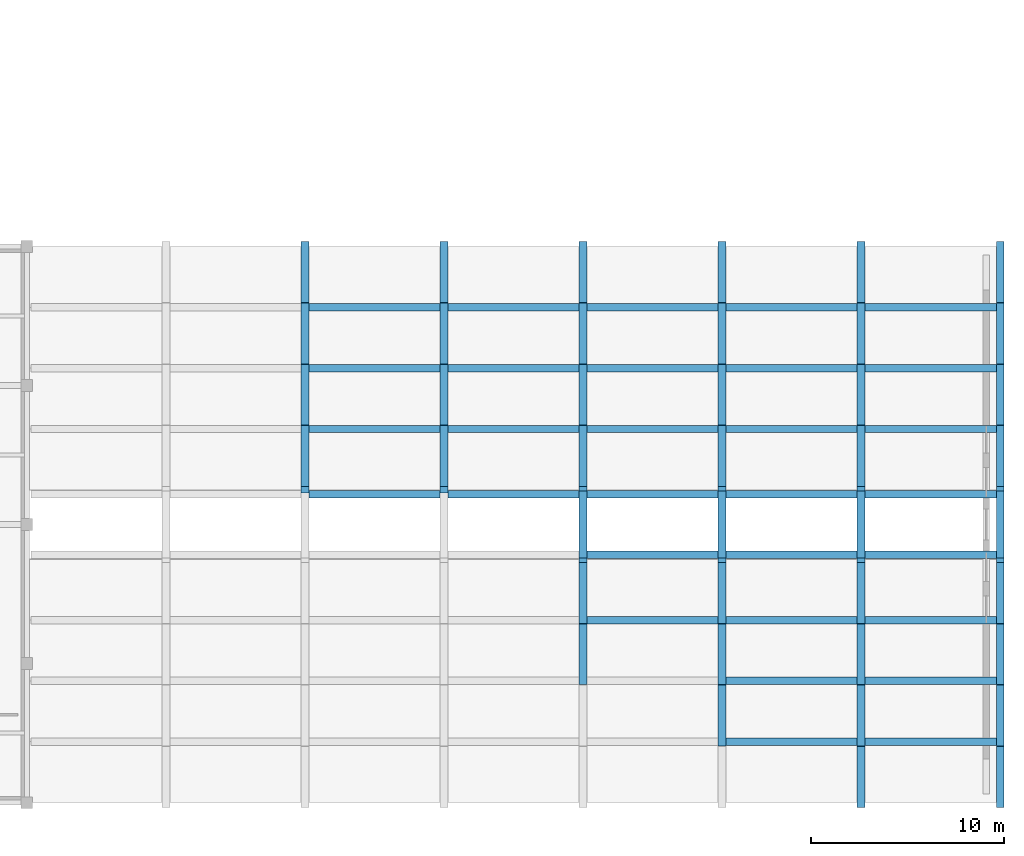
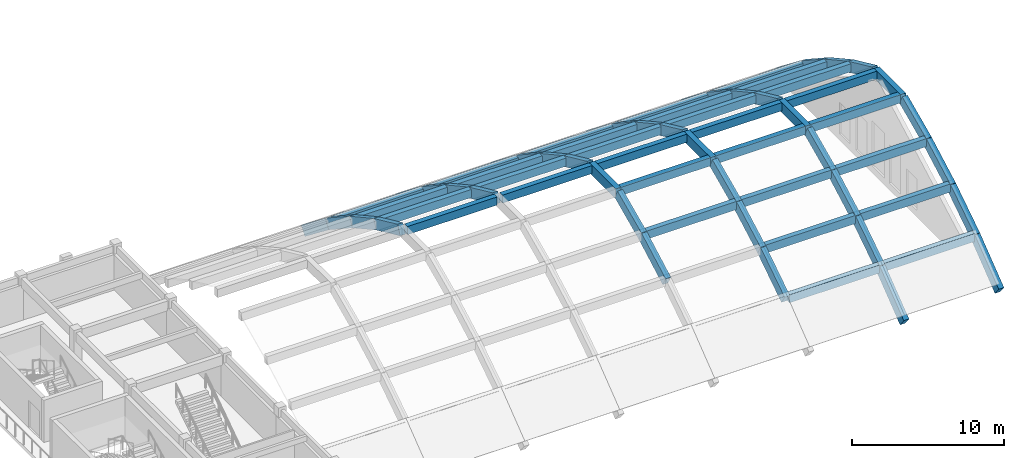
# One storey, part 18 of 85: 71 beams.
"""IFC4 building model written with IfcOpenShell, lengths in metres."""

import ifcopenshell
import ifcopenshell.guid

model = None  # the IFC model being written
_history = None  # IfcOwnerHistory: only IFC2X3 demands one
_inside = {}  # id of a spatial element -> (the spatial element, [elements in it])
_under = {}  # id of a project, library or spatial element -> (it, [spatial elements below it])
_declared = {}  # id of a project -> (the project, [libraries it declares])
_typed = {}  # id of a type object -> (the type object, [elements of that type])
_made_of = {}  # id of a material, layer set ... -> (it, [elements and type objects made of it])


def new_model(schema):
    """Start an empty IFC model of exactly this schema.

    Asked for "IFC4X3", IfcOpenShell would pick the latest addendum, in which some entities
    have other attributes; the version numbers below select the first issue.
    IFC2X3 requires an IfcOwnerHistory on every rooted entity: one is made here for all.
    """
    global model, _history
    if schema == "IFC4X3":
        model = ifcopenshell.file(schema_version=(4, 3, 0, 0))
    else:
        model = ifcopenshell.file(schema=schema)
    _inside.clear()
    _under.clear()
    _declared.clear()
    _typed.clear()
    _made_of.clear()
    _history = None
    if model.schema == "IFC2X3":
        org = make("IfcOrganization", Name="unknown")
        user = make(
            "IfcPersonAndOrganization",
            ThePerson=make("IfcPerson", FamilyName="unknown"),
            TheOrganization=org,
        )
        app = make(
            "IfcApplication",
            ApplicationDeveloper=org,
            Version="unknown",
            ApplicationFullName="unknown",
            ApplicationIdentifier="unknown",
        )
        _history = make(
            "IfcOwnerHistory",
            OwningUser=user,
            OwningApplication=app,
            ChangeAction="ADDED",
            CreationDate=0,
        )
    return model


def make(cls, **values):
    """One entity of the class cls with the attributes given. An attribute that is None is left unset."""
    return model.create_entity(
        cls, **{name: value for name, value in values.items() if value is not None}
    )


def rooted(cls, **values):
    """An entity with a GlobalId (a new one), such as an element, a storey or a relation."""
    return make(cls, GlobalId=ifcopenshell.guid.new(), OwnerHistory=_history, **values)


def si_unit(unit_type, name, prefix=None):
    """IfcSIUnit, for example si_unit("LENGTHUNIT", "METRE", prefix="MILLI")."""
    return make("IfcSIUnit", UnitType=unit_type, Prefix=prefix, Name=name)


def assignment(units):
    """IfcUnitAssignment: the units of a project."""
    return None if units is None else make("IfcUnitAssignment", Units=units)


def point(xyz):
    """IfcCartesianPoint."""
    return None if xyz is None else make("IfcCartesianPoint", Coordinates=xyz)


def direction(xyz):
    """IfcDirection."""
    return None if xyz is None else make("IfcDirection", DirectionRatios=xyz)


def frame(location, z_axis=None, x_axis=None):
    """IfcAxis2Placement3D, a coordinate frame: its origin and axes. An axis left out is left unset."""
    return make(
        "IfcAxis2Placement3D",
        Location=point(location),
        Axis=direction(z_axis),
        RefDirection=direction(x_axis),
    )


def frame_2d(location, x_axis=None):
    """IfcAxis2Placement2D, a coordinate frame in the plane: its origin and x axis."""
    return make(
        "IfcAxis2Placement2D", Location=point(location), RefDirection=direction(x_axis)
    )


def origin():
    """The frame at (0, 0, 0) with its axes left unset."""
    return frame((0.0, 0.0, 0.0))


def origin_2d():
    """The frame at (0, 0) in the plane with its x axis left unset."""
    return frame_2d((0.0, 0.0))


def place(relative_to, where):
    """IfcLocalPlacement: puts the frame where relative to a parent placement (None: the world)."""
    return make(
        "IfcLocalPlacement", PlacementRelTo=relative_to, RelativePlacement=where
    )


def context(
    kind, dimensions, precision=None, world=None, true_north=None, identifier=None
):
    """IfcGeometricRepresentationContext, for example the 3D "Model" context."""
    return make(
        "IfcGeometricRepresentationContext",
        ContextIdentifier=identifier,
        ContextType=kind,
        CoordinateSpaceDimension=dimensions,
        Precision=precision,
        WorldCoordinateSystem=world,
        TrueNorth=true_north,
    )


def subcontext(parent, identifier, kind, view, scale=None):
    """IfcGeometricRepresentationSubContext, for example "Body" below "Model"."""
    return make(
        "IfcGeometricRepresentationSubContext",
        ContextIdentifier=identifier,
        ContextType=kind,
        ParentContext=parent,
        TargetScale=scale,
        TargetView=view,
    )


def project(units=None, contexts=None):
    """IfcProject with its units and contexts."""
    return rooted(
        "IfcProject",
        Name="project",
        RepresentationContexts=contexts,
        UnitsInContext=assignment(units),
    )


def spatial(cls, under=None, at=None, **own):
    """A site, building, storey or space (cls), placed at a placement, below another one or the project."""
    s = rooted(cls, ObjectPlacement=at, **own)
    if under is not None:
        _under.setdefault(under.id(), (under, []))[1].append(s)
    return s


def profile(cls, at=None, kind="AREA", **sizes):
    """A parametric profile (cls). Its sizes go by their IFC names, for example OverallWidth=200.0."""
    return make(cls, ProfileType=kind, Position=at, **sizes)


def rectangle(**sizes):
    """IfcRectangleProfileDef."""
    return profile("IfcRectangleProfileDef", **sizes)


def extrude(swept, where, along, depth):
    """IfcExtrudedAreaSolid: the profile swept, set in the frame where, extruded along a direction by depth."""
    return make(
        "IfcExtrudedAreaSolid",
        SweptArea=swept,
        Position=where,
        ExtrudedDirection=direction(along),
        Depth=depth,
    )


def shape(context_of_items, identifier, shape_type, items):
    """IfcShapeRepresentation: the items that make up one representation, for example the "Body"."""
    return make(
        "IfcShapeRepresentation",
        ContextOfItems=context_of_items,
        RepresentationIdentifier=identifier,
        RepresentationType=shape_type,
        Items=items,
    )


def material(Name=None, Category=None):
    """IfcMaterial."""
    return make("IfcMaterial", Name=Name, Category=Category)


def material_profile(
    of_material, cross_section, Name=None, Category=None, Priority=None
):
    """IfcMaterialProfile: a cross section and its material."""
    return make(
        "IfcMaterialProfile",
        Name=Name,
        Material=of_material,
        Profile=cross_section,
        Priority=Priority,
        Category=Category,
    )


def profile_set(profiles, Name=None, composite=None):
    """IfcMaterialProfileSet."""
    return make(
        "IfcMaterialProfileSet",
        Name=Name,
        MaterialProfiles=profiles,
        CompositeProfile=composite,
    )


def made_of(thing, what):
    """Note that an element or type object is made of a material, layer set ...; save() writes the relation."""
    if what is not None:
        _made_of.setdefault(what.id(), (what, []))[1].append(thing)
    return thing


def type_object(cls, material=None, **own):
    """A type object (cls), such as IfcWallType, which elements share."""
    return made_of(rooted(cls, **own), material)


def element(
    cls,
    number,
    at=None,
    inside=None,
    cuts=None,
    type_object=None,
    material=None,
    context=None,
    identifier="Body",
    shape_type=None,
    held_by="IfcProductDefinitionShape",
    body=None,
    shapes=None,
    **own,
):
    """One element of the class cls, such as IfcWall. Its Tag is "e" and its number.

    at: its placement. inside: the storey or other place that contains it. cuts: it is an
    opening in that element (IfcRelVoidsElement). A single representation is given by context,
    identifier, shape_type and body (its items); several are given by shapes. held_by: the class
    of the entity that holds the representations. save() writes the other relations.
    """
    e = rooted(cls, Tag="e%d" % number, ObjectPlacement=at, **own)
    if body is not None:
        shapes = [shape(context, identifier, shape_type, body)]
    if shapes is not None:
        e.Representation = make(held_by, Representations=shapes)
    if inside is not None:
        _inside.setdefault(inside.id(), (inside, []))[1].append(e)
    if cuts is not None:
        rooted(
            "IfcRelVoidsElement", RelatingBuildingElement=cuts, RelatedOpeningElement=e
        )
    if type_object is not None:
        _typed.setdefault(type_object.id(), (type_object, []))[1].append(e)
    return made_of(e, material)


def aggregate(whole, parts):
    """IfcRelAggregates: a whole, such as a stair, and the parts it consists of."""
    return rooted("IfcRelAggregates", RelatingObject=whole, RelatedObjects=parts)


def save(model, path):
    """Write the relations noted so far, then the file.

    IfcRelAggregates (storeys below a building ...), IfcRelContainedInSpatialStructure (elements
    in a storey), IfcRelDefinesByType, IfcRelAssociatesMaterial and IfcRelDeclares: one each for
    every whole, place, type object, material and project.
    """
    for whole, parts in _under.values():
        aggregate(whole, parts)
    for where, things in _inside.values():
        rooted(
            "IfcRelContainedInSpatialStructure",
            RelatedElements=things,
            RelatingStructure=where,
        )
    for kind, things in _typed.values():
        rooted("IfcRelDefinesByType", RelatedObjects=things, RelatingType=kind)
    for what, things in _made_of.values():
        rooted("IfcRelAssociatesMaterial", RelatedObjects=things, RelatingMaterial=what)
    for by, libraries in _declared.values():
        rooted("IfcRelDeclares", RelatingContext=by, RelatedDefinitions=libraries)
    model.write(path)


model = new_model("IFC4")

# Units and contexts
model_context = context("Model", 3, precision=1e-05, world=origin(), true_north=direction((0.0, 1.0)))
body_context = subcontext(model_context, "Body", "Model", "MODEL_VIEW")
ifc_project = project(units=[si_unit("LENGTHUNIT", "METRE"), si_unit("AREAUNIT", "SQUARE_METRE"), si_unit("VOLUMEUNIT", "CUBIC_METRE"), si_unit("PLANEANGLEUNIT", "RADIAN"), si_unit("MASSUNIT", "GRAM", prefix="KILO")], contexts=[model_context])

# Site, building, storey
site_placement = place(None, origin())
site = spatial("IfcSite", under=ifc_project, at=site_placement, CompositionType="ELEMENT")
building_placement = place(site_placement, origin())
building = spatial("IfcBuilding", under=site, at=building_placement, Name="Alvorim Cloister Faculty of Sciences", CompositionType="ELEMENT")
storey_placement = place(building_placement, frame((0.0, 0.0, 8.550048828125)))
storey = spatial("IfcBuildingStorey", under=building, at=storey_placement, Name="L02", CompositionType="ELEMENT", Elevation=8.550048828125)

# Beams
ifc_material = material(Name="Concrete C40", Category="concrete")
ifc_material_profile_1 = material_profile(ifc_material, rectangle(XDim=0.39990234375, YDim=0.800048828125, at=origin_2d()), Name="RC40-ARCH-400x800")
ifc_profile_set_1 = profile_set([ifc_material_profile_1], Name="Concrete C40")
beam_type_1 = type_object("IfcBeamType", Name="BM-ARCH-400x800", PredefinedType="BEAM", material=ifc_profile_set_1)
beam_1_placement = place(storey_placement, frame((129.60009765625, 16.199951171875, 7.168212890625), z_axis=(0.0, 0.909008111331, -0.416778422587), x_axis=(-1.0, 0.0, 0.0)))
element("IfcBeam", 1, at=beam_1_placement, inside=storey, type_object=beam_type_1, Name="SH-V1 Pointed Arch Rib Chord BM-2278", PredefinedType="BEAM", context=body_context, shape_type="SweptSolid", body=[
    extrude(rectangle(XDim=0.39990234375, YDim=0.800048828125, at=origin_2d()), origin(), (0.0, 0.0, 1.0), 3.465576171875),
])
beam_2_placement = place(storey_placement, frame((129.60009765625, 19.35009765625, 5.723876953125), z_axis=(0.0, 0.875903252887, -0.48248677866), x_axis=(-1.0, 0.0, 0.0)))
element("IfcBeam", 2, at=beam_2_placement, inside=storey, type_object=beam_type_1, Name="SH-V1 Pointed Arch Rib Chord BM-2279", PredefinedType="BEAM", context=body_context, shape_type="SweptSolid", body=[
    extrude(rectangle(XDim=0.39990234375, YDim=0.800048828125, at=origin_2d()), origin(), (0.0, 0.0, 1.0), 3.59619140625),
])
beam_3_placement = place(storey_placement, frame((129.60009765625, 22.5, 3.98876953125), z_axis=(0.0, 0.83634327519, -0.548206098146), x_axis=(-1.0, 0.0, 0.0)))
element("IfcBeam", 3, at=beam_3_placement, inside=storey, type_object=beam_type_1, Name="SH-V1 Pointed Arch Rib Chord BM-2280", PredefinedType="BEAM", context=body_context, shape_type="SweptSolid", body=[
    extrude(rectangle(XDim=0.39990234375, YDim=0.800048828125, at=origin_2d()), origin(), (0.0, 0.0, 1.0), 3.766357421875),
])
beam_4_placement = place(storey_placement, frame((129.60009765625, 25.64990234375, 1.924072265625), z_axis=(0.0, 0.789342335142, -0.613953319033), x_axis=(-1.0, 0.0, 0.0)))
element("IfcBeam", 4, at=beam_4_placement, inside=storey, type_object=beam_type_1, Name="SH-V1 Pointed Arch Rib Chord BM-2281", PredefinedType="BEAM", context=body_context, shape_type="SweptSolid", body=[
    extrude(rectangle(XDim=0.39990234375, YDim=0.800048828125, at=origin_2d()), origin(), (0.0, 0.0, 1.0), 3.990966796875),
])
beam_5_placement = place(storey_placement, frame((136.800048828125, 16.199951171875, 7.168212890625), z_axis=(0.0, 0.909008111331, -0.416778422587), x_axis=(-1.0, 0.0, 0.0)))
element("IfcBeam", 5, at=beam_5_placement, inside=storey, type_object=beam_type_1, Name="SH-V1 Pointed Arch Rib Chord BM-2287", PredefinedType="BEAM", context=body_context, shape_type="SweptSolid", body=[
    extrude(rectangle(XDim=0.39990234375, YDim=0.800048828125, at=origin_2d()), origin(), (0.0, 0.0, 1.0), 3.465576171875),
])
beam_6_placement = place(storey_placement, frame((136.800048828125, 19.35009765625, 5.723876953125), z_axis=(0.0, 0.875903252887, -0.48248677866), x_axis=(-1.0, 0.0, 0.0)))
element("IfcBeam", 6, at=beam_6_placement, inside=storey, type_object=beam_type_1, Name="SH-V1 Pointed Arch Rib Chord BM-2288", PredefinedType="BEAM", context=body_context, shape_type="SweptSolid", body=[
    extrude(rectangle(XDim=0.39990234375, YDim=0.800048828125, at=origin_2d()), origin(), (0.0, 0.0, 1.0), 3.59619140625),
])
beam_7_placement = place(storey_placement, frame((136.800048828125, 22.5, 3.98876953125), z_axis=(0.0, 0.83634327519, -0.548206098146), x_axis=(-1.0, 0.0, 0.0)))
element("IfcBeam", 7, at=beam_7_placement, inside=storey, type_object=beam_type_1, Name="SH-V1 Pointed Arch Rib Chord BM-2289", PredefinedType="BEAM", context=body_context, shape_type="SweptSolid", body=[
    extrude(rectangle(XDim=0.39990234375, YDim=0.800048828125, at=origin_2d()), origin(), (0.0, 0.0, 1.0), 3.766357421875),
])
beam_8_placement = place(storey_placement, frame((136.800048828125, 25.64990234375, 1.924072265625), z_axis=(0.0, 0.789342335142, -0.613953319033), x_axis=(-1.0, 0.0, 0.0)))
element("IfcBeam", 8, at=beam_8_placement, inside=storey, type_object=beam_type_1, Name="SH-V1 Pointed Arch Rib Chord BM-2290", PredefinedType="BEAM", context=body_context, shape_type="SweptSolid", body=[
    extrude(rectangle(XDim=0.39990234375, YDim=0.800048828125, at=origin_2d()), origin(), (0.0, 0.0, 1.0), 3.990966796875),
])
beam_9_placement = place(storey_placement, frame((144.0, 6.300048828125, 3.98876953125), z_axis=(0.0, 0.875903252887, 0.48248677866), x_axis=(-1.0, 0.0, 0.0)))
element("IfcBeam", 9, at=beam_9_placement, inside=storey, type_object=beam_type_1, Name="SH-V1 Pointed Arch Rib Chord BM-2294", PredefinedType="BEAM", context=body_context, shape_type="SweptSolid", body=[
    extrude(rectangle(XDim=0.39990234375, YDim=0.800048828125, at=origin_2d()), origin(), (0.0, 0.0, 1.0), 3.59619140625),
])
for number, where, z_axis, x_axis, name in (
    (10, (144.0, 9.449951171875, 5.723876953125), (0.0, 0.909008111331, 0.416778422587), (-1.0, 0.0, 0.0), "SH-V1 Pointed Arch Rib Chord BM-2295"),
    (11, (144.0, 16.199951171875, 7.168212890625), (0.0, 0.909008111331, -0.416778422587), (-1.0, 0.0, 0.0), "SH-V1 Pointed Arch Rib Chord BM-2296"),
):
    element("IfcBeam", number, at=place(storey_placement, frame(where, z_axis=z_axis, x_axis=x_axis)), inside=storey, type_object=beam_type_1, Name=name, PredefinedType="BEAM", context=body_context, shape_type="SweptSolid", body=[
        extrude(rectangle(XDim=0.39990234375, YDim=0.800048828125, at=origin_2d()), origin(), (0.0, 0.0, 1.0), 3.465576171875),
    ])
beam_10_placement = place(storey_placement, frame((144.0, 19.35009765625, 5.723876953125), z_axis=(0.0, 0.875903252887, -0.48248677866), x_axis=(-1.0, 0.0, 0.0)))
element("IfcBeam", 12, at=beam_10_placement, inside=storey, type_object=beam_type_1, Name="SH-V1 Pointed Arch Rib Chord BM-2297", PredefinedType="BEAM", context=body_context, shape_type="SweptSolid", body=[
    extrude(rectangle(XDim=0.39990234375, YDim=0.800048828125, at=origin_2d()), origin(), (0.0, 0.0, 1.0), 3.59619140625),
])
beam_11_placement = place(storey_placement, frame((144.0, 22.5, 3.98876953125), z_axis=(0.0, 0.83634327519, -0.548206098146), x_axis=(-1.0, 0.0, 0.0)))
element("IfcBeam", 13, at=beam_11_placement, inside=storey, type_object=beam_type_1, Name="SH-V1 Pointed Arch Rib Chord BM-2298", PredefinedType="BEAM", context=body_context, shape_type="SweptSolid", body=[
    extrude(rectangle(XDim=0.39990234375, YDim=0.800048828125, at=origin_2d()), origin(), (0.0, 0.0, 1.0), 3.766357421875),
])
beam_12_placement = place(storey_placement, frame((144.0, 25.64990234375, 1.924072265625), z_axis=(0.0, 0.789342335142, -0.613953319033), x_axis=(-1.0, 0.0, 0.0)))
element("IfcBeam", 14, at=beam_12_placement, inside=storey, type_object=beam_type_1, Name="SH-V1 Pointed Arch Rib Chord BM-2299", PredefinedType="BEAM", context=body_context, shape_type="SweptSolid", body=[
    extrude(rectangle(XDim=0.39990234375, YDim=0.800048828125, at=origin_2d()), origin(), (0.0, 0.0, 1.0), 3.990966796875),
])
beam_13_placement = place(storey_placement, frame((144.0, 12.659912109375, 7.1640625), z_axis=(0.0, 1.0, 0.0), x_axis=(-1.0, 0.0, 0.0)))
element("IfcBeam", 15, at=beam_13_placement, inside=storey, type_object=beam_type_1, Name="L02 SH-V1 Arch Crown Tie BM-2300", PredefinedType="BEAM", context=body_context, shape_type="SweptSolid", body=[
    extrude(rectangle(XDim=0.39990234375, YDim=0.800048828125, at=origin_2d()), origin(), (0.0, 0.0, 1.0), 3.47998046875),
])
beam_14_placement = place(storey_placement, frame((151.199951171875, 3.14990234375, 1.924072265625), z_axis=(0.0, 0.836362754786, 0.548176378921), x_axis=(-1.0, 0.0, 0.0)))
element("IfcBeam", 16, at=beam_14_placement, inside=storey, type_object=beam_type_1, Name="SH-V1 Pointed Arch Rib Chord BM-2302", PredefinedType="BEAM", context=body_context, shape_type="SweptSolid", body=[
    extrude(rectangle(XDim=0.39990234375, YDim=0.800048828125, at=origin_2d()), origin(), (0.0, 0.0, 1.0), 3.7666015625),
])
beam_15_placement = place(storey_placement, frame((151.199951171875, 6.300048828125, 3.98876953125), z_axis=(0.0, 0.875903252887, 0.48248677866), x_axis=(-1.0, 0.0, 0.0)))
element("IfcBeam", 17, at=beam_15_placement, inside=storey, type_object=beam_type_1, Name="SH-V1 Pointed Arch Rib Chord BM-2303", PredefinedType="BEAM", context=body_context, shape_type="SweptSolid", body=[
    extrude(rectangle(XDim=0.39990234375, YDim=0.800048828125, at=origin_2d()), origin(), (0.0, 0.0, 1.0), 3.59619140625),
])
for number, where, z_axis, x_axis, name in (
    (18, (151.199951171875, 9.449951171875, 5.723876953125), (0.0, 0.909008111331, 0.416778422587), (-1.0, 0.0, 0.0), "SH-V1 Pointed Arch Rib Chord BM-2304"),
    (19, (151.199951171875, 16.199951171875, 7.168212890625), (0.0, 0.909008111331, -0.416778422587), (-1.0, 0.0, 0.0), "SH-V1 Pointed Arch Rib Chord BM-2305"),
):
    element("IfcBeam", number, at=place(storey_placement, frame(where, z_axis=z_axis, x_axis=x_axis)), inside=storey, type_object=beam_type_1, Name=name, PredefinedType="BEAM", context=body_context, shape_type="SweptSolid", body=[
        extrude(rectangle(XDim=0.39990234375, YDim=0.800048828125, at=origin_2d()), origin(), (0.0, 0.0, 1.0), 3.465576171875),
    ])
beam_16_placement = place(storey_placement, frame((151.199951171875, 19.35009765625, 5.723876953125), z_axis=(0.0, 0.875903252887, -0.48248677866), x_axis=(-1.0, 0.0, 0.0)))
element("IfcBeam", 20, at=beam_16_placement, inside=storey, type_object=beam_type_1, Name="SH-V1 Pointed Arch Rib Chord BM-2306", PredefinedType="BEAM", context=body_context, shape_type="SweptSolid", body=[
    extrude(rectangle(XDim=0.39990234375, YDim=0.800048828125, at=origin_2d()), origin(), (0.0, 0.0, 1.0), 3.59619140625),
])
beam_17_placement = place(storey_placement, frame((151.199951171875, 22.5, 3.98876953125), z_axis=(0.0, 0.83634327519, -0.548206098146), x_axis=(-1.0, 0.0, 0.0)))
element("IfcBeam", 21, at=beam_17_placement, inside=storey, type_object=beam_type_1, Name="SH-V1 Pointed Arch Rib Chord BM-2307", PredefinedType="BEAM", context=body_context, shape_type="SweptSolid", body=[
    extrude(rectangle(XDim=0.39990234375, YDim=0.800048828125, at=origin_2d()), origin(), (0.0, 0.0, 1.0), 3.766357421875),
])
beam_18_placement = place(storey_placement, frame((151.199951171875, 25.64990234375, 1.924072265625), z_axis=(0.0, 0.789342335142, -0.613953319033), x_axis=(-1.0, 0.0, 0.0)))
element("IfcBeam", 22, at=beam_18_placement, inside=storey, type_object=beam_type_1, Name="SH-V1 Pointed Arch Rib Chord BM-2308", PredefinedType="BEAM", context=body_context, shape_type="SweptSolid", body=[
    extrude(rectangle(XDim=0.39990234375, YDim=0.800048828125, at=origin_2d()), origin(), (0.0, 0.0, 1.0), 3.990966796875),
])
beam_19_placement = place(storey_placement, frame((151.199951171875, 12.659912109375, 7.1640625), z_axis=(0.0, 1.0, 0.0), x_axis=(-1.0, 0.0, 0.0)))
element("IfcBeam", 23, at=beam_19_placement, inside=storey, type_object=beam_type_1, Name="L02 SH-V1 Arch Crown Tie BM-2309", PredefinedType="BEAM", context=body_context, shape_type="SweptSolid", body=[
    extrude(rectangle(XDim=0.39990234375, YDim=0.800048828125, at=origin_2d()), origin(), (0.0, 0.0, 1.0), 3.47998046875),
])
beam_20_placement = place(storey_placement, frame((158.39990234375, 0.0, -0.526123046875), z_axis=(0.0, 0.78931927421, 0.61398296667), x_axis=(-1.0, 0.0, 0.0)))
element("IfcBeam", 24, at=beam_20_placement, inside=storey, type_object=beam_type_1, Name="SH-V1 Pointed Arch Rib Chord BM-2310", PredefinedType="BEAM", context=body_context, shape_type="SweptSolid", body=[
    extrude(rectangle(XDim=0.39990234375, YDim=0.800048828125, at=origin_2d()), origin(), (0.0, 0.0, 1.0), 3.99072265625),
])
beam_21_placement = place(storey_placement, frame((158.39990234375, 3.14990234375, 1.924072265625), z_axis=(0.0, 0.836362754786, 0.548176378921), x_axis=(-1.0, 0.0, 0.0)))
element("IfcBeam", 25, at=beam_21_placement, inside=storey, type_object=beam_type_1, Name="SH-V1 Pointed Arch Rib Chord BM-2311", PredefinedType="BEAM", context=body_context, shape_type="SweptSolid", body=[
    extrude(rectangle(XDim=0.39990234375, YDim=0.800048828125, at=origin_2d()), origin(), (0.0, 0.0, 1.0), 3.7666015625),
])
beam_22_placement = place(storey_placement, frame((158.39990234375, 6.300048828125, 3.98876953125), z_axis=(0.0, 0.875903252887, 0.48248677866), x_axis=(-1.0, 0.0, 0.0)))
element("IfcBeam", 26, at=beam_22_placement, inside=storey, type_object=beam_type_1, Name="SH-V1 Pointed Arch Rib Chord BM-2312", PredefinedType="BEAM", context=body_context, shape_type="SweptSolid", body=[
    extrude(rectangle(XDim=0.39990234375, YDim=0.800048828125, at=origin_2d()), origin(), (0.0, 0.0, 1.0), 3.59619140625),
])
for number, where, z_axis, x_axis, name in (
    (27, (158.39990234375, 9.449951171875, 5.723876953125), (0.0, 0.909008111331, 0.416778422587), (-1.0, 0.0, 0.0), "SH-V1 Pointed Arch Rib Chord BM-2313"),
    (28, (158.39990234375, 16.199951171875, 7.168212890625), (0.0, 0.909008111331, -0.416778422587), (-1.0, 0.0, 0.0), "SH-V1 Pointed Arch Rib Chord BM-2314"),
):
    element("IfcBeam", number, at=place(storey_placement, frame(where, z_axis=z_axis, x_axis=x_axis)), inside=storey, type_object=beam_type_1, Name=name, PredefinedType="BEAM", context=body_context, shape_type="SweptSolid", body=[
        extrude(rectangle(XDim=0.39990234375, YDim=0.800048828125, at=origin_2d()), origin(), (0.0, 0.0, 1.0), 3.465576171875),
    ])
beam_23_placement = place(storey_placement, frame((158.39990234375, 19.35009765625, 5.723876953125), z_axis=(0.0, 0.875903252887, -0.48248677866), x_axis=(-1.0, 0.0, 0.0)))
element("IfcBeam", 29, at=beam_23_placement, inside=storey, type_object=beam_type_1, Name="SH-V1 Pointed Arch Rib Chord BM-2315", PredefinedType="BEAM", context=body_context, shape_type="SweptSolid", body=[
    extrude(rectangle(XDim=0.39990234375, YDim=0.800048828125, at=origin_2d()), origin(), (0.0, 0.0, 1.0), 3.59619140625),
])
beam_24_placement = place(storey_placement, frame((158.39990234375, 22.5, 3.98876953125), z_axis=(0.0, 0.83634327519, -0.548206098146), x_axis=(-1.0, 0.0, 0.0)))
element("IfcBeam", 30, at=beam_24_placement, inside=storey, type_object=beam_type_1, Name="SH-V1 Pointed Arch Rib Chord BM-2316", PredefinedType="BEAM", context=body_context, shape_type="SweptSolid", body=[
    extrude(rectangle(XDim=0.39990234375, YDim=0.800048828125, at=origin_2d()), origin(), (0.0, 0.0, 1.0), 3.766357421875),
])
beam_25_placement = place(storey_placement, frame((158.39990234375, 25.64990234375, 1.924072265625), z_axis=(0.0, 0.789342335142, -0.613953319033), x_axis=(-1.0, 0.0, 0.0)))
element("IfcBeam", 31, at=beam_25_placement, inside=storey, type_object=beam_type_1, Name="SH-V1 Pointed Arch Rib Chord BM-2317", PredefinedType="BEAM", context=body_context, shape_type="SweptSolid", body=[
    extrude(rectangle(XDim=0.39990234375, YDim=0.800048828125, at=origin_2d()), origin(), (0.0, 0.0, 1.0), 3.990966796875),
])
beam_26_placement = place(storey_placement, frame((158.39990234375, 12.659912109375, 7.1640625), z_axis=(0.0, 1.0, 0.0), x_axis=(-1.0, 0.0, 0.0)))
element("IfcBeam", 32, at=beam_26_placement, inside=storey, type_object=beam_type_1, Name="L02 SH-V1 Arch Crown Tie BM-2318", PredefinedType="BEAM", context=body_context, shape_type="SweptSolid", body=[
    extrude(rectangle(XDim=0.39990234375, YDim=0.800048828125, at=origin_2d()), origin(), (0.0, 0.0, 1.0), 3.47998046875),
])
beam_27_placement = place(storey_placement, frame((165.60009765625, 0.0, -0.526123046875), z_axis=(0.0, 0.78931927421, 0.61398296667), x_axis=(-1.0, 0.0, 0.0)))
element("IfcBeam", 33, at=beam_27_placement, inside=storey, type_object=beam_type_1, Name="SH-V1 Pointed Arch Rib Chord BM-2319", PredefinedType="BEAM", context=body_context, shape_type="SweptSolid", body=[
    extrude(rectangle(XDim=0.39990234375, YDim=0.800048828125, at=origin_2d()), origin(), (0.0, 0.0, 1.0), 3.99072265625),
])
beam_28_placement = place(storey_placement, frame((165.60009765625, 3.14990234375, 1.924072265625), z_axis=(0.0, 0.836362754786, 0.548176378921), x_axis=(-1.0, 0.0, 0.0)))
element("IfcBeam", 34, at=beam_28_placement, inside=storey, type_object=beam_type_1, Name="SH-V1 Pointed Arch Rib Chord BM-2320", PredefinedType="BEAM", context=body_context, shape_type="SweptSolid", body=[
    extrude(rectangle(XDim=0.39990234375, YDim=0.800048828125, at=origin_2d()), origin(), (0.0, 0.0, 1.0), 3.7666015625),
])
beam_29_placement = place(storey_placement, frame((165.60009765625, 6.300048828125, 3.98876953125), z_axis=(0.0, 0.875903252887, 0.48248677866), x_axis=(-1.0, 0.0, 0.0)))
element("IfcBeam", 35, at=beam_29_placement, inside=storey, type_object=beam_type_1, Name="SH-V1 Pointed Arch Rib Chord BM-2321", PredefinedType="BEAM", context=body_context, shape_type="SweptSolid", body=[
    extrude(rectangle(XDim=0.39990234375, YDim=0.800048828125, at=origin_2d()), origin(), (0.0, 0.0, 1.0), 3.59619140625),
])
for number, where, z_axis, x_axis, name in (
    (36, (165.60009765625, 9.449951171875, 5.723876953125), (0.0, 0.909008111331, 0.416778422587), (-1.0, 0.0, 0.0), "SH-V1 Pointed Arch Rib Chord BM-2322"),
    (37, (165.60009765625, 16.199951171875, 7.168212890625), (0.0, 0.909008111331, -0.416778422587), (-1.0, 0.0, 0.0), "SH-V1 Pointed Arch Rib Chord BM-2323"),
):
    element("IfcBeam", number, at=place(storey_placement, frame(where, z_axis=z_axis, x_axis=x_axis)), inside=storey, type_object=beam_type_1, Name=name, PredefinedType="BEAM", context=body_context, shape_type="SweptSolid", body=[
        extrude(rectangle(XDim=0.39990234375, YDim=0.800048828125, at=origin_2d()), origin(), (0.0, 0.0, 1.0), 3.465576171875),
    ])
beam_30_placement = place(storey_placement, frame((165.60009765625, 19.35009765625, 5.723876953125), z_axis=(0.0, 0.875903252887, -0.48248677866), x_axis=(-1.0, 0.0, 0.0)))
element("IfcBeam", 38, at=beam_30_placement, inside=storey, type_object=beam_type_1, Name="SH-V1 Pointed Arch Rib Chord BM-2324", PredefinedType="BEAM", context=body_context, shape_type="SweptSolid", body=[
    extrude(rectangle(XDim=0.39990234375, YDim=0.800048828125, at=origin_2d()), origin(), (0.0, 0.0, 1.0), 3.59619140625),
])
beam_31_placement = place(storey_placement, frame((165.60009765625, 22.5, 3.98876953125), z_axis=(0.0, 0.83634327519, -0.548206098146), x_axis=(-1.0, 0.0, 0.0)))
element("IfcBeam", 39, at=beam_31_placement, inside=storey, type_object=beam_type_1, Name="SH-V1 Pointed Arch Rib Chord BM-2325", PredefinedType="BEAM", context=body_context, shape_type="SweptSolid", body=[
    extrude(rectangle(XDim=0.39990234375, YDim=0.800048828125, at=origin_2d()), origin(), (0.0, 0.0, 1.0), 3.766357421875),
])
beam_32_placement = place(storey_placement, frame((165.60009765625, 25.64990234375, 1.924072265625), z_axis=(0.0, 0.789342335142, -0.613953319033), x_axis=(-1.0, 0.0, 0.0)))
element("IfcBeam", 40, at=beam_32_placement, inside=storey, type_object=beam_type_1, Name="SH-V1 Pointed Arch Rib Chord BM-2326", PredefinedType="BEAM", context=body_context, shape_type="SweptSolid", body=[
    extrude(rectangle(XDim=0.39990234375, YDim=0.800048828125, at=origin_2d()), origin(), (0.0, 0.0, 1.0), 3.990966796875),
])
beam_33_placement = place(storey_placement, frame((165.60009765625, 12.659912109375, 7.1640625), z_axis=(0.0, 1.0, 0.0), x_axis=(-1.0, 0.0, 0.0)))
element("IfcBeam", 41, at=beam_33_placement, inside=storey, type_object=beam_type_1, Name="L02 SH-V1 Arch Crown Tie BM-2327", PredefinedType="BEAM", context=body_context, shape_type="SweptSolid", body=[
    extrude(rectangle(XDim=0.39990234375, YDim=0.800048828125, at=origin_2d()), origin(), (0.0, 0.0, 1.0), 3.47998046875),
])
ifc_material_profile_2 = material_profile(ifc_material, rectangle(XDim=0.3798828125, YDim=0.64990234375, at=origin_2d()), Name="RC40-BM-380x650")
ifc_profile_set_2 = profile_set([ifc_material_profile_2], Name="Concrete C40")
beam_type_2 = type_object("IfcBeamType", Name="BM-RC-380x650", PredefinedType="BEAM", material=ifc_profile_set_2)
beam_34_placement = place(storey_placement, frame((151.39990234375, 3.14990234375, 1.98486328125), z_axis=(1.0, 0.0, 0.0), x_axis=(0.0, 1.0, 0.0)))
element("IfcBeam", 42, at=beam_34_placement, inside=storey, type_object=beam_type_2, Name="L02 SH-V1 Vault Stringer BM-2333", PredefinedType="BEAM", context=body_context, shape_type="SweptSolid", body=[
    extrude(rectangle(XDim=0.3798828125, YDim=0.64990234375, at=origin_2d()), origin(), (0.0, 0.0, 1.0), 6.800048828125),
])
beam_35_placement = place(storey_placement, frame((158.60009765625, 3.14990234375, 1.98486328125), z_axis=(1.0, 0.0, 0.0), x_axis=(0.0, 1.0, 0.0)))
element("IfcBeam", 43, at=beam_35_placement, inside=storey, type_object=beam_type_2, Name="L02 SH-V1 Vault Stringer BM-2334", PredefinedType="BEAM", context=body_context, shape_type="SweptSolid", body=[
    extrude(rectangle(XDim=0.3798828125, YDim=0.64990234375, at=origin_2d()), origin(), (0.0, 0.0, 1.0), 6.7998046875),
])
beam_36_placement = place(storey_placement, frame((151.39990234375, 6.300048828125, 4.049560546875), z_axis=(1.0, 0.0, 0.0), x_axis=(0.0, 1.0, 0.0)))
element("IfcBeam", 44, at=beam_36_placement, inside=storey, type_object=beam_type_2, Name="L02 SH-V1 Vault Stringer BM-2340", PredefinedType="BEAM", context=body_context, shape_type="SweptSolid", body=[
    extrude(rectangle(XDim=0.3798828125, YDim=0.64990234375, at=origin_2d()), origin(), (0.0, 0.0, 1.0), 6.800048828125),
])
beam_37_placement = place(storey_placement, frame((158.60009765625, 6.300048828125, 4.049560546875), z_axis=(1.0, 0.0, 0.0), x_axis=(0.0, 1.0, 0.0)))
element("IfcBeam", 45, at=beam_37_placement, inside=storey, type_object=beam_type_2, Name="L02 SH-V1 Vault Stringer BM-2341", PredefinedType="BEAM", context=body_context, shape_type="SweptSolid", body=[
    extrude(rectangle(XDim=0.3798828125, YDim=0.64990234375, at=origin_2d()), origin(), (0.0, 0.0, 1.0), 6.7998046875),
])
for number, where, z_axis, x_axis, name in (
    (46, (144.199951171875, 9.449951171875, 5.784912109375), (1.0, 0.0, 0.0), (0.0, 1.0, 0.0), "L02 SH-V1 Vault Stringer BM-2346"),
    (47, (151.39990234375, 9.449951171875, 5.784912109375), (1.0, 0.0, 0.0), (0.0, 1.0, 0.0), "L02 SH-V1 Vault Stringer BM-2347"),
):
    element("IfcBeam", number, at=place(storey_placement, frame(where, z_axis=z_axis, x_axis=x_axis)), inside=storey, type_object=beam_type_2, Name=name, PredefinedType="BEAM", context=body_context, shape_type="SweptSolid", body=[
        extrude(rectangle(XDim=0.3798828125, YDim=0.64990234375, at=origin_2d()), origin(), (0.0, 0.0, 1.0), 6.800048828125),
    ])
beam_38_placement = place(storey_placement, frame((158.60009765625, 9.449951171875, 5.784912109375), z_axis=(1.0, 0.0, 0.0), x_axis=(0.0, 1.0, 0.0)))
element("IfcBeam", 48, at=beam_38_placement, inside=storey, type_object=beam_type_2, Name="L02 SH-V1 Vault Stringer BM-2348", PredefinedType="BEAM", context=body_context, shape_type="SweptSolid", body=[
    extrude(rectangle(XDim=0.3798828125, YDim=0.64990234375, at=origin_2d()), origin(), (0.0, 0.0, 1.0), 6.7998046875),
])
for number, where, z_axis, x_axis, name in (
    (49, (129.800048828125, 19.35009765625, 5.784912109375), (1.0, 0.0, 0.0), (0.0, 1.0, 0.0), "L02 SH-V1 Vault Stringer BM-2351"),
    (50, (137.0, 19.35009765625, 5.784912109375), (1.0, 0.0, 0.0), (0.0, 1.0, 0.0), "L02 SH-V1 Vault Stringer BM-2352"),
    (51, (144.199951171875, 19.35009765625, 5.784912109375), (1.0, 0.0, 0.0), (0.0, 1.0, 0.0), "L02 SH-V1 Vault Stringer BM-2353"),
    (52, (151.39990234375, 19.35009765625, 5.784912109375), (1.0, 0.0, 0.0), (0.0, 1.0, 0.0), "L02 SH-V1 Vault Stringer BM-2354"),
):
    element("IfcBeam", number, at=place(storey_placement, frame(where, z_axis=z_axis, x_axis=x_axis)), inside=storey, type_object=beam_type_2, Name=name, PredefinedType="BEAM", context=body_context, shape_type="SweptSolid", body=[
        extrude(rectangle(XDim=0.3798828125, YDim=0.64990234375, at=origin_2d()), origin(), (0.0, 0.0, 1.0), 6.800048828125),
    ])
beam_39_placement = place(storey_placement, frame((158.60009765625, 19.35009765625, 5.784912109375), z_axis=(1.0, 0.0, 0.0), x_axis=(0.0, 1.0, 0.0)))
element("IfcBeam", 53, at=beam_39_placement, inside=storey, type_object=beam_type_2, Name="L02 SH-V1 Vault Stringer BM-2355", PredefinedType="BEAM", context=body_context, shape_type="SweptSolid", body=[
    extrude(rectangle(XDim=0.3798828125, YDim=0.64990234375, at=origin_2d()), origin(), (0.0, 0.0, 1.0), 6.7998046875),
])
for number, where, z_axis, x_axis, name in (
    (54, (129.800048828125, 22.5, 4.049560546875), (1.0, 0.0, 0.0), (0.0, 1.0, 0.0), "L02 SH-V1 Vault Stringer BM-2358"),
    (55, (137.0, 22.5, 4.049560546875), (1.0, 0.0, 0.0), (0.0, 1.0, 0.0), "L02 SH-V1 Vault Stringer BM-2359"),
    (56, (144.199951171875, 22.5, 4.049560546875), (1.0, 0.0, 0.0), (0.0, 1.0, 0.0), "L02 SH-V1 Vault Stringer BM-2360"),
    (57, (151.39990234375, 22.5, 4.049560546875), (1.0, 0.0, 0.0), (0.0, 1.0, 0.0), "L02 SH-V1 Vault Stringer BM-2361"),
):
    element("IfcBeam", number, at=place(storey_placement, frame(where, z_axis=z_axis, x_axis=x_axis)), inside=storey, type_object=beam_type_2, Name=name, PredefinedType="BEAM", context=body_context, shape_type="SweptSolid", body=[
        extrude(rectangle(XDim=0.3798828125, YDim=0.64990234375, at=origin_2d()), origin(), (0.0, 0.0, 1.0), 6.800048828125),
    ])
beam_40_placement = place(storey_placement, frame((158.60009765625, 22.5, 4.049560546875), z_axis=(1.0, 0.0, 0.0), x_axis=(0.0, 1.0, 0.0)))
element("IfcBeam", 58, at=beam_40_placement, inside=storey, type_object=beam_type_2, Name="L02 SH-V1 Vault Stringer BM-2362", PredefinedType="BEAM", context=body_context, shape_type="SweptSolid", body=[
    extrude(rectangle(XDim=0.3798828125, YDim=0.64990234375, at=origin_2d()), origin(), (0.0, 0.0, 1.0), 6.7998046875),
])
for number, where, z_axis, x_axis, name in (
    (59, (129.800048828125, 25.64990234375, 1.98486328125), (1.0, 0.0, 0.0), (0.0, 1.0, 0.0), "L02 SH-V1 Vault Stringer BM-2365"),
    (60, (137.0, 25.64990234375, 1.98486328125), (1.0, 0.0, 0.0), (0.0, 1.0, 0.0), "L02 SH-V1 Vault Stringer BM-2366"),
    (61, (144.199951171875, 25.64990234375, 1.98486328125), (1.0, 0.0, 0.0), (0.0, 1.0, 0.0), "L02 SH-V1 Vault Stringer BM-2367"),
    (62, (151.39990234375, 25.64990234375, 1.98486328125), (1.0, 0.0, 0.0), (0.0, 1.0, 0.0), "L02 SH-V1 Vault Stringer BM-2368"),
):
    element("IfcBeam", number, at=place(storey_placement, frame(where, z_axis=z_axis, x_axis=x_axis)), inside=storey, type_object=beam_type_2, Name=name, PredefinedType="BEAM", context=body_context, shape_type="SweptSolid", body=[
        extrude(rectangle(XDim=0.3798828125, YDim=0.64990234375, at=origin_2d()), origin(), (0.0, 0.0, 1.0), 6.800048828125),
    ])
beam_41_placement = place(storey_placement, frame((158.60009765625, 25.64990234375, 1.98486328125), z_axis=(1.0, 0.0, 0.0), x_axis=(0.0, 1.0, 0.0)))
element("IfcBeam", 63, at=beam_41_placement, inside=storey, type_object=beam_type_2, Name="L02 SH-V1 Vault Stringer BM-2369", PredefinedType="BEAM", context=body_context, shape_type="SweptSolid", body=[
    extrude(rectangle(XDim=0.3798828125, YDim=0.64990234375, at=origin_2d()), origin(), (0.0, 0.0, 1.0), 6.7998046875),
])
for number, where, z_axis, x_axis, name in (
    (64, (144.199951171875, 12.840087890625, 7.2392578125), (1.0, 0.0, 0.0), (0.0, 1.0, 0.0), "L02 SH-V1 Lantern Curb Beam BM-2374"),
    (65, (151.39990234375, 12.840087890625, 7.2392578125), (1.0, 0.0, 0.0), (0.0, 1.0, 0.0), "L02 SH-V1 Lantern Curb Beam BM-2375"),
):
    element("IfcBeam", number, at=place(storey_placement, frame(where, z_axis=z_axis, x_axis=x_axis)), inside=storey, type_object=beam_type_2, Name=name, PredefinedType="BEAM", context=body_context, shape_type="SweptSolid", body=[
        extrude(rectangle(XDim=0.3798828125, YDim=0.64990234375, at=origin_2d()), origin(), (0.0, 0.0, 1.0), 6.800048828125),
    ])
beam_42_placement = place(storey_placement, frame((158.60009765625, 12.840087890625, 7.2392578125), z_axis=(1.0, 0.0, 0.0), x_axis=(0.0, 1.0, 0.0)))
element("IfcBeam", 66, at=beam_42_placement, inside=storey, type_object=beam_type_2, Name="L02 SH-V1 Lantern Curb Beam BM-2376", PredefinedType="BEAM", context=body_context, shape_type="SweptSolid", body=[
    extrude(rectangle(XDim=0.3798828125, YDim=0.64990234375, at=origin_2d()), origin(), (0.0, 0.0, 1.0), 6.7998046875),
])
for number, where, z_axis, x_axis, name in (
    (67, (129.800048828125, 15.9599609375, 7.2392578125), (1.0, 0.0, 0.0), (0.0, 1.0, 0.0), "L02 SH-V1 Lantern Curb Beam BM-2379"),
    (68, (137.0, 15.9599609375, 7.2392578125), (1.0, 0.0, 0.0), (0.0, 1.0, 0.0), "L02 SH-V1 Lantern Curb Beam BM-2380"),
    (69, (144.199951171875, 15.9599609375, 7.2392578125), (1.0, 0.0, 0.0), (0.0, 1.0, 0.0), "L02 SH-V1 Lantern Curb Beam BM-2381"),
    (70, (151.39990234375, 15.9599609375, 7.2392578125), (1.0, 0.0, 0.0), (0.0, 1.0, 0.0), "L02 SH-V1 Lantern Curb Beam BM-2382"),
):
    element("IfcBeam", number, at=place(storey_placement, frame(where, z_axis=z_axis, x_axis=x_axis)), inside=storey, type_object=beam_type_2, Name=name, PredefinedType="BEAM", context=body_context, shape_type="SweptSolid", body=[
        extrude(rectangle(XDim=0.3798828125, YDim=0.64990234375, at=origin_2d()), origin(), (0.0, 0.0, 1.0), 6.800048828125),
    ])
beam_43_placement = place(storey_placement, frame((158.60009765625, 15.9599609375, 7.2392578125), z_axis=(1.0, 0.0, 0.0), x_axis=(0.0, 1.0, 0.0)))
element("IfcBeam", 71, at=beam_43_placement, inside=storey, type_object=beam_type_2, Name="L02 SH-V1 Lantern Curb Beam BM-2383", PredefinedType="BEAM", context=body_context, shape_type="SweptSolid", body=[
    extrude(rectangle(XDim=0.3798828125, YDim=0.64990234375, at=origin_2d()), origin(), (0.0, 0.0, 1.0), 6.7998046875),
])

save(model, "model.ifc")
